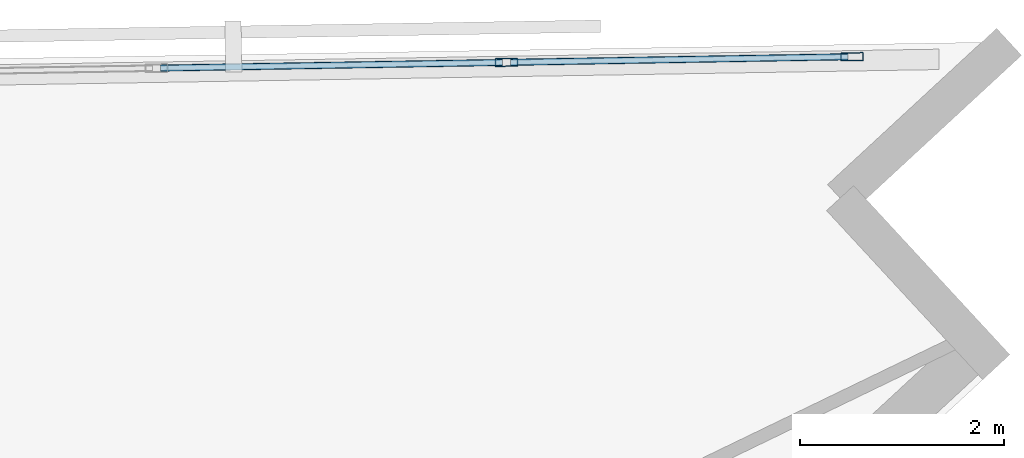
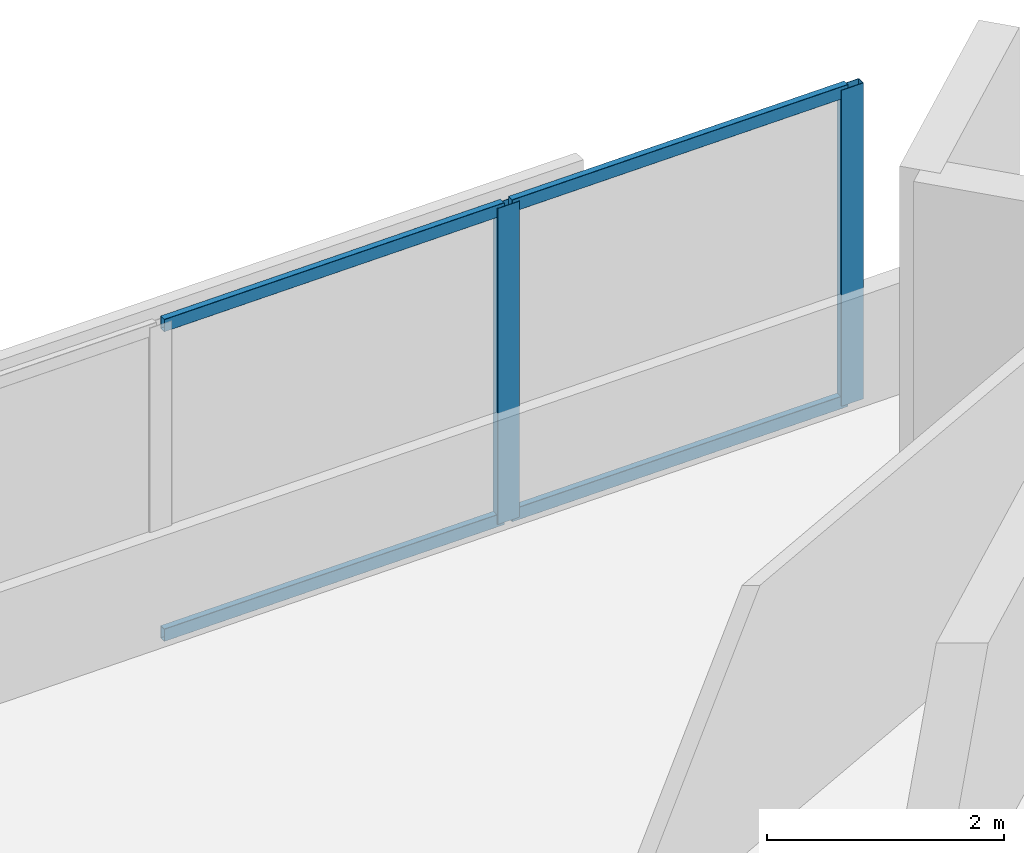
# One storey, part 6 of 11: 6 members, 1 element without a shape of its own.
"""IFC4 building model written with IfcOpenShell, lengths in metres."""

from ifc_helpers import new_model, si_unit, direction, frame, origin, origin_2d, place, context, subcontext, project, spatial, hollow_rectangle, extrude, material, material_profile, profile_set, type_object, element, aggregate, save


model = new_model("IFC4")

# Units and contexts
model_context = context("Model", 3, precision=1e-05, world=origin(), true_north=direction((0.0, 1.0)))
body_context = subcontext(model_context, "Body", "Model", "MODEL_VIEW")
ifc_project = project(units=[si_unit("LENGTHUNIT", "METRE"), si_unit("AREAUNIT", "SQUARE_METRE"), si_unit("VOLUMEUNIT", "CUBIC_METRE"), si_unit("PLANEANGLEUNIT", "RADIAN"), si_unit("MASSUNIT", "GRAM", prefix="KILO")], contexts=[model_context])

# Site, building, storey
site_placement = place(None, origin())
site = spatial("IfcSite", under=ifc_project, at=site_placement, CompositionType="ELEMENT")
building_placement = place(site_placement, origin())
building = spatial("IfcBuilding", under=site, at=building_placement, Name="Narakoshi Arena Tower", CompositionType="ELEMENT")
storey_placement = place(building_placement, frame((0.0, 0.0, 285.3798828125)))
storey = spatial("IfcBuildingStorey", under=building, at=storey_placement, Name="L78", CompositionType="ELEMENT", Elevation=285.3798828125)

# Curtain wall, members
ifc_material = material(Name="Anodised bronze aluminium 6063-T6", Category="aluminium")
curtain_wall_type = type_object("IfcCurtainWallType", Name="CW-HYP-HIGH", PredefinedType="NOTDEFINED", material=ifc_material)
curtain_wall_placement = place(storey_placement, origin())
curtain_wall = element("IfcCurtainWall", 1, at=curtain_wall_placement, inside=storey, type_object=curtain_wall_type, Name="L78 Folded Hypotenuse Curtain Wall 1-1", PredefinedType="NOTDEFINED")
ifc_material_profile_1 = material_profile(ifc_material, hollow_rectangle(XDim=0.080078125, YDim=0.219970703125, WallThickness=0.0048828125, OuterFilletRadius=0.006103515625, at=origin_2d()), Name="MUL220x80x5")
ifc_profile_set_1 = profile_set([ifc_material_profile_1], Name="Anodised bronze aluminium 6063-T6")
member_type_1 = type_object("IfcMemberType", Name="MEM-MUL-220", PredefinedType="MULLION", material=ifc_profile_set_1)
member_1_placement = place(storey_placement, frame((110.4189453125, 64.11767578125, 0.0), z_axis=(0.0, 0.0, 1.0), x_axis=(0.016442997569, -0.999864804777, 0.0)))
member_1 = element("IfcMember", 2, at=member_1_placement, type_object=member_type_1, Name="CW-03 mullion 1", PredefinedType="MULLION", context=body_context, shape_type="SweptSolid", body=[
    extrude(hollow_rectangle(XDim=0.080078125, YDim=0.219970703125, WallThickness=0.0048828125, OuterFilletRadius=0.006103515625, at=origin_2d()), origin(), (0.0, 0.0, 1.0), 3.260009765625),
])
member_2_placement = place(storey_placement, frame((107.031494140625, 64.06201171875, 0.0), z_axis=(0.0, 0.0, 1.0), x_axis=(0.016442997569, -0.999864804777, 0.0)))
member_2 = element("IfcMember", 3, at=member_2_placement, type_object=member_type_1, Name="CW-03 mullion 2", PredefinedType="MULLION", context=body_context, shape_type="SweptSolid", body=[
    extrude(hollow_rectangle(XDim=0.080078125, YDim=0.219970703125, WallThickness=0.0048828125, OuterFilletRadius=0.006103515625, at=origin_2d()), origin(), (0.0, 0.0, 1.0), 3.260009765625),
])
ifc_material_profile_2 = material_profile(ifc_material, hollow_rectangle(XDim=0.06494140625, YDim=0.1298828125, WallThickness=0.00390625, OuterFilletRadius=0.0048828125, at=origin_2d()), Name="TRN130x65x4")
ifc_profile_set_2 = profile_set([ifc_material_profile_2], Name="Anodised bronze aluminium 6063-T6")
member_type_2 = type_object("IfcMemberType", Name="MEM-TRN-130", PredefinedType="USERDEFINED", material=ifc_profile_set_2)
member_3_placement = place(storey_placement, frame((110.37890625, 64.1171875, 0.03271484375), z_axis=(-0.999864541825, -0.016458979318, 0.0), x_axis=(0.016458979318, -0.999864541825, 0.0)))
member_3 = element("IfcMember", 4, at=member_3_placement, type_object=member_type_2, Name="CW-03 transom 1.1", ObjectType="TRANSOM", PredefinedType="USERDEFINED", context=body_context, shape_type="SweptSolid", body=[
    extrude(hollow_rectangle(XDim=0.06494140625, YDim=0.1298828125, WallThickness=0.00390625, OuterFilletRadius=0.0048828125, at=origin_2d()), origin(), (0.0, 0.0, 1.0), 3.307861328125),
])
member_4_placement = place(storey_placement, frame((110.37890625, 64.1171875, 3.2275390625), z_axis=(-0.999864541825, -0.016458979318, 0.0), x_axis=(0.016458979318, -0.999864541825, 0.0)))
member_4 = element("IfcMember", 5, at=member_4_placement, type_object=member_type_2, Name="CW-03 transom 1.2", ObjectType="TRANSOM", PredefinedType="USERDEFINED", context=body_context, shape_type="SweptSolid", body=[
    extrude(hollow_rectangle(XDim=0.06494140625, YDim=0.1298828125, WallThickness=0.00390625, OuterFilletRadius=0.0048828125, at=origin_2d()), origin(), (0.0, 0.0, 1.0), 3.307861328125),
])
member_5_placement = place(storey_placement, frame((106.99169921875, 64.061279296875, 0.03271484375), z_axis=(-0.999865380158, -0.01640797247, 0.0), x_axis=(0.01640797247, -0.999865380158, 0.0)))
member_5 = element("IfcMember", 6, at=member_5_placement, type_object=member_type_2, Name="CW-03 transom 2.1", ObjectType="TRANSOM", PredefinedType="USERDEFINED", context=body_context, shape_type="SweptSolid", body=[
    extrude(hollow_rectangle(XDim=0.06494140625, YDim=0.1298828125, WallThickness=0.00390625, OuterFilletRadius=0.0048828125, at=origin_2d()), origin(), (0.0, 0.0, 1.0), 3.347900390625),
])
member_6_placement = place(storey_placement, frame((106.99169921875, 64.061279296875, 3.2275390625), z_axis=(-0.999865380158, -0.01640797247, 0.0), x_axis=(0.01640797247, -0.999865380158, 0.0)))
member_6 = element("IfcMember", 7, at=member_6_placement, type_object=member_type_2, Name="CW-03 transom 2.2", ObjectType="TRANSOM", PredefinedType="USERDEFINED", context=body_context, shape_type="SweptSolid", body=[
    extrude(hollow_rectangle(XDim=0.06494140625, YDim=0.1298828125, WallThickness=0.00390625, OuterFilletRadius=0.0048828125, at=origin_2d()), origin(), (0.0, 0.0, 1.0), 3.347900390625),
])
aggregate(curtain_wall, [member_1, member_2, member_3, member_4, member_5, member_6])

save(model, "model.ifc")
